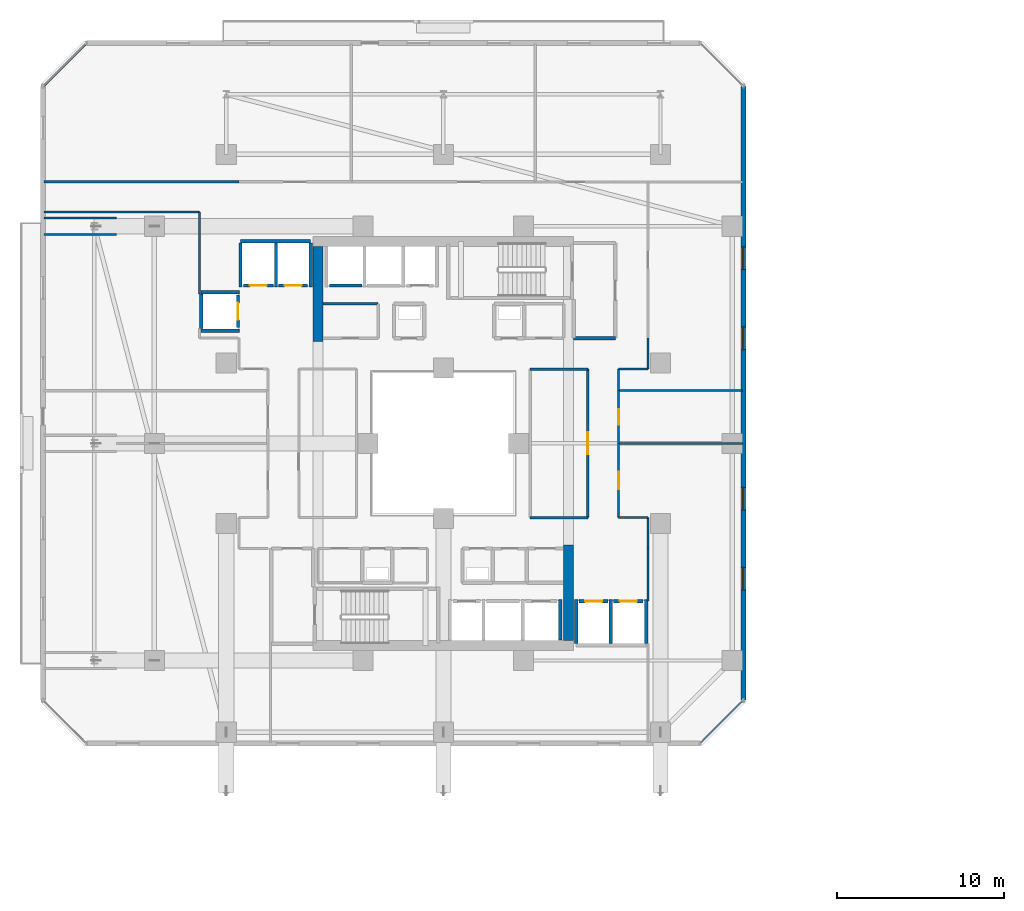
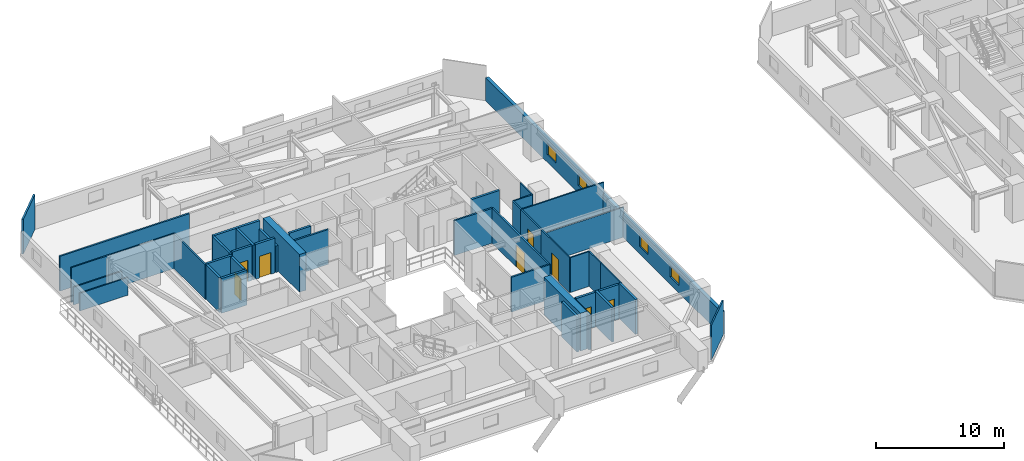
# One storey, part 23 of 36: 42 walls, 8 doors, 4 windows, 12 openings.
"""IFC4 building model written with IfcOpenShell, lengths in metres."""

from ifc_helpers import new_model, si_unit, direction, frame, frame_2d, origin, place, context, subcontext, project, spatial, rectangle, extrude, material, layer, layer_set, type_object, element, fill, save


model = new_model("IFC4")

# Units and contexts
model_context = context("Model", 3, precision=1e-05, world=origin(), true_north=direction((0.0, 1.0)))
body_context = subcontext(model_context, "Body", "Model", "MODEL_VIEW")
ifc_project = project(units=[si_unit("LENGTHUNIT", "METRE"), si_unit("AREAUNIT", "SQUARE_METRE"), si_unit("VOLUMEUNIT", "CUBIC_METRE"), si_unit("PLANEANGLEUNIT", "RADIAN"), si_unit("MASSUNIT", "GRAM", prefix="KILO")], contexts=[model_context])

# Site, building, storey
site_placement = place(None, origin())
site = spatial("IfcSite", under=ifc_project, at=site_placement, CompositionType="ELEMENT")
building_placement = place(site_placement, origin())
building = spatial("IfcBuilding", under=site, at=building_placement, Name="Thornwick Lancets Civic Towers", CompositionType="ELEMENT")
storey_placement = place(building_placement, frame((0.0, 0.0, 116.10009765625)))
storey = spatial("IfcBuildingStorey", under=building, at=storey_placement, Name="L30", CompositionType="ELEMENT", Elevation=116.10009765625)

# Wall, opening, door
ifc_material_1 = material(Name="Concrete blockwork C40/50", Category="masonry")
ifc_layer_1 = layer(ifc_material_1, 0.199951171875, Name="Concrete blockwork C40/50")
ifc_layer_set_1 = layer_set([ifc_layer_1], Name="Concrete blockwork C40/50")
wall_type_1 = type_object("IfcWallType", Name="WALL_COMP_200", PredefinedType="STANDARD", material=ifc_layer_set_1)
wall_1_placement = place(storey_placement, frame((33.6298828125, 17.550048828125, 0.0), z_axis=(0.0, 0.0, 1.0), x_axis=(1.0, 0.0, 0.0)))
wall_1 = element("IfcWall", 1, at=wall_1_placement, inside=storey, type_object=wall_type_1, Name="L30 Hoistway Front Wall PL-AL2", PredefinedType="STANDARD", context=body_context, shape_type="SweptSolid", body=[
    extrude(rectangle(XDim=1.740234375, YDim=0.199951171875, at=frame_2d((0.8701171875, 0.0))), origin(), (0.0, 0.0, 1.0), 3.31982421875),
])
opening_1_placement = place(wall_1_placement, frame((0.360107421875, 0.0, 0.0)))
opening_1 = element("IfcOpeningElement", 2, at=opening_1_placement, cuts=wall_1, Name="Opening LD-PL-AL2", PredefinedType="OPENING", context=body_context, shape_type="SweptSolid", body=[
    extrude(rectangle(XDim=1.02001953125, YDim=2.06005859375, at=frame_2d((0.510009765625, 1.030029296875))), frame((0.0, 0.10986328125, 0.0), z_axis=(0.0, -1.0, 0.0), x_axis=(1.0, 0.0, 0.0)), (0.0, 0.0, 1.0), 0.219970703125),
])
ifc_material_2 = material(Name="Brushed bronze stainless steel", Category="steel")
door_type_1 = type_object("IfcDoorType", Name="DOOR_LIFT_SLIDE", OperationType="SLIDING_TO_LEFT", PredefinedType="DOOR", material=ifc_material_2)
door_1_placement = place(opening_1_placement, origin())
door_1 = element("IfcDoor", 3, at=door_1_placement, inside=storey, type_object=door_type_1, Name="L30 Sliding Lift Landing Door LD-PL-AL2", OperationType="SLIDING_TO_LEFT", OverallHeight=2.06005859375, OverallWidth=1.02001953125, PredefinedType="DOOR", context=body_context, shape_type="SweptSolid", body=[
    extrude(rectangle(XDim=1.02001953125, YDim=2.06005859375, at=frame_2d((0.510009765625, 1.030029296875))), frame((0.0, 0.02490234375, 0.0), z_axis=(0.0, -1.0, 0.0), x_axis=(1.0, 0.0, 0.0)), (0.0, 0.0, 1.0), 0.050048828125),
])
fill(opening_1, door_1)

wall_2_placement = place(storey_placement, frame((35.679931640625, 17.550048828125, 0.0), z_axis=(0.0, 0.0, 1.0), x_axis=(1.0, 0.0, 0.0)))
wall_2 = element("IfcWall", 4, at=wall_2_placement, inside=storey, type_object=wall_type_1, Name="L30 Hoistway Front Wall PL-AL3", PredefinedType="STANDARD", context=body_context, shape_type="SweptSolid", body=[
    extrude(rectangle(XDim=1.7900390625, YDim=0.199951171875, at=frame_2d((0.89501953125, 0.0))), origin(), (0.0, 0.0, 1.0), 3.31982421875),
])
opening_2_placement = place(wall_2_placement, frame((0.385009765625, 0.0, 0.0)))
opening_2 = element("IfcOpeningElement", 5, at=opening_2_placement, cuts=wall_2, Name="Opening LD-PL-AL3", PredefinedType="OPENING", context=body_context, shape_type="SweptSolid", body=[
    extrude(rectangle(XDim=1.02001953125, YDim=2.06005859375, at=frame_2d((0.510009765625, 1.030029296875))), frame((0.0, 0.10986328125, 0.0), z_axis=(0.0, -1.0, 0.0), x_axis=(1.0, 0.0, 0.0)), (0.0, 0.0, 1.0), 0.219970703125),
])
door_2_placement = place(opening_2_placement, origin())
door_2 = element("IfcDoor", 6, at=door_2_placement, inside=storey, type_object=door_type_1, Name="L30 Sliding Lift Landing Door LD-PL-AL3", OperationType="SLIDING_TO_LEFT", OverallHeight=2.06005859375, OverallWidth=1.02001953125, PredefinedType="DOOR", context=body_context, shape_type="SweptSolid", body=[
    extrude(rectangle(XDim=1.02001953125, YDim=2.06005859375, at=frame_2d((0.510009765625, 1.030029296875))), frame((0.0, 0.02490234375, 0.0), z_axis=(0.0, -1.0, 0.0), x_axis=(1.0, 0.0, 0.0)), (0.0, 0.0, 1.0), 0.050048828125),
])
fill(opening_2, door_2)

# Wall
wall_3_placement = place(storey_placement, frame((20.6201171875, 36.449951171875, 0.0), z_axis=(0.0, 0.0, 1.0), x_axis=(-1.0, 0.0, 0.0)))
element("IfcWall", 7, at=wall_3_placement, inside=storey, type_object=wall_type_1, Name="L30 Hoistway Front Wall PL-AH3", PredefinedType="STANDARD", context=body_context, shape_type="SweptSolid", body=[
    extrude(rectangle(XDim=1.940185546875, YDim=0.199951171875, at=frame_2d((0.97021484375, 0.0))), origin(), (0.0, 0.0, 1.0), 3.31982421875),
])

# Wall, opening, door
wall_4_placement = place(storey_placement, frame((17.3701171875, 36.449951171875, 0.0), z_axis=(0.0, 0.0, 1.0), x_axis=(-1.0, 0.0, 0.0)))
wall_4 = element("IfcWall", 8, at=wall_4_placement, inside=storey, type_object=wall_type_1, Name="L30 Hoistway Front Wall PL-AM1", PredefinedType="STANDARD", context=body_context, shape_type="SweptSolid", body=[
    extrude(rectangle(XDim=1.740234375, YDim=0.199951171875, at=frame_2d((0.8701171875, 0.0))), origin(), (0.0, 0.0, 1.0), 3.31982421875),
])
opening_3_placement = place(wall_4_placement, frame((0.360107421875, 0.0, 0.0)))
opening_3 = element("IfcOpeningElement", 9, at=opening_3_placement, cuts=wall_4, Name="Opening LD-PL-AM1", PredefinedType="OPENING", context=body_context, shape_type="SweptSolid", body=[
    extrude(rectangle(XDim=1.02001953125, YDim=2.06005859375, at=frame_2d((0.510009765625, 1.030029296875))), frame((0.0, 0.10986328125, 0.0), z_axis=(0.0, -1.0, 0.0), x_axis=(1.0, 0.0, 0.0)), (0.0, 0.0, 1.0), 0.219970703125),
])
door_3_placement = place(opening_3_placement, origin())
door_3 = element("IfcDoor", 10, at=door_3_placement, inside=storey, type_object=door_type_1, Name="L30 Sliding Lift Landing Door LD-PL-AM1", OperationType="SLIDING_TO_LEFT", OverallHeight=2.06005859375, OverallWidth=1.02001953125, PredefinedType="DOOR", context=body_context, shape_type="SweptSolid", body=[
    extrude(rectangle(XDim=1.02001953125, YDim=2.06005859375, at=frame_2d((0.510009765625, 1.030029296875))), frame((0.0, 0.02490234375, 0.0), z_axis=(0.0, -1.0, 0.0), x_axis=(1.0, 0.0, 0.0)), (0.0, 0.0, 1.0), 0.050048828125),
])
fill(opening_3, door_3)

wall_5_placement = place(storey_placement, frame((15.320068359375, 36.449951171875, 0.0), z_axis=(0.0, 0.0, 1.0), x_axis=(-1.0, 0.0, 0.0)))
wall_5 = element("IfcWall", 11, at=wall_5_placement, inside=storey, type_object=wall_type_1, Name="L30 Hoistway Front Wall PL-AM2", PredefinedType="STANDARD", context=body_context, shape_type="SweptSolid", body=[
    extrude(rectangle(XDim=1.7900390625, YDim=0.199951171875, at=frame_2d((0.89501953125, 0.0))), origin(), (0.0, 0.0, 1.0), 3.31982421875),
])
opening_4_placement = place(wall_5_placement, frame((0.385009765625, 0.0, 0.0)))
opening_4 = element("IfcOpeningElement", 12, at=opening_4_placement, cuts=wall_5, Name="Opening LD-PL-AM2", PredefinedType="OPENING", context=body_context, shape_type="SweptSolid", body=[
    extrude(rectangle(XDim=1.02001953125, YDim=2.06005859375, at=frame_2d((0.510009765625, 1.030029296875))), frame((0.0, 0.10986328125, 0.0), z_axis=(0.0, -1.0, 0.0), x_axis=(1.0, 0.0, 0.0)), (0.0, 0.0, 1.0), 0.219970703125),
])
door_4_placement = place(opening_4_placement, origin())
door_4 = element("IfcDoor", 13, at=door_4_placement, inside=storey, type_object=door_type_1, Name="L30 Sliding Lift Landing Door LD-PL-AM2", OperationType="SLIDING_TO_LEFT", OverallHeight=2.06005859375, OverallWidth=1.02001953125, PredefinedType="DOOR", context=body_context, shape_type="SweptSolid", body=[
    extrude(rectangle(XDim=1.02001953125, YDim=2.06005859375, at=frame_2d((0.510009765625, 1.030029296875))), frame((0.0, 0.02490234375, 0.0), z_axis=(0.0, -1.0, 0.0), x_axis=(1.0, 0.0, 0.0)), (0.0, 0.0, 1.0), 0.050048828125),
])
fill(opening_4, door_4)

wall_6_placement = place(storey_placement, frame((13.199951171875, 33.929931640625, 0.0), z_axis=(0.0, 0.0, 1.0), x_axis=(0.0, 1.0, 0.0)))
wall_6 = element("IfcWall", 14, at=wall_6_placement, inside=storey, type_object=wall_type_1, Name="L30 Hoistway Front Wall PL-AM3", PredefinedType="STANDARD", context=body_context, shape_type="SweptSolid", body=[
    extrude(rectangle(XDim=1.940185546875, YDim=0.199951171875, at=frame_2d((0.97021484375, 0.0))), origin(), (0.0, 0.0, 1.0), 3.31982421875),
])
opening_5_placement = place(wall_6_placement, frame((0.4599609375, 0.0, 0.0)))
opening_5 = element("IfcOpeningElement", 15, at=opening_5_placement, cuts=wall_6, Name="Opening LD-PL-AM3", PredefinedType="OPENING", context=body_context, shape_type="SweptSolid", body=[
    extrude(rectangle(XDim=1.02001953125, YDim=2.06005859375, at=frame_2d((0.510009765625, 1.030029296875))), frame((0.0, 0.10986328125, 0.0), z_axis=(0.0, -1.0, 0.0), x_axis=(1.0, 0.0, 0.0)), (0.0, 0.0, 1.0), 0.219970703125),
])
door_5_placement = place(opening_5_placement, origin())
door_5 = element("IfcDoor", 16, at=door_5_placement, inside=storey, type_object=door_type_1, Name="L30 Sliding Lift Landing Door LD-PL-AM3", OperationType="SLIDING_TO_LEFT", OverallHeight=2.06005859375, OverallWidth=1.02001953125, PredefinedType="DOOR", context=body_context, shape_type="SweptSolid", body=[
    extrude(rectangle(XDim=1.02001953125, YDim=2.06005859375, at=frame_2d((0.510009765625, 1.030029296875))), frame((0.0, 0.02490234375, 0.0), z_axis=(0.0, -1.0, 0.0), x_axis=(1.0, 0.0, 0.0)), (0.0, 0.0, 1.0), 0.050048828125),
])
fill(opening_5, door_5)

# Walls
wall_7_placement = place(storey_placement, frame((32.5, 15.2119140625, 0.0), z_axis=(0.0, 0.0, 1.0), x_axis=(0.0, 1.0, 0.0)))
element("IfcWall", 17, at=wall_7_placement, inside=storey, type_object=wall_type_1, Name="L30 Hoistway Shaft Wall PL-AL1 E", PredefinedType="STANDARD", context=body_context, shape_type="SweptSolid", body=[
    extrude(rectangle(XDim=2.43603515625, YDim=0.199951171875, at=frame_2d((1.218017578125, 0.0))), origin(), (0.0, 0.0, 1.0), 3.31982421875),
])
for number, where, z_axis, x_axis, name in (
    (18, (35.52490234375, 15.011962890625, 0.0), (0.0, 0.0, 1.0), (0.0, 1.0, 0.0), "L30 Hoistway Shaft Wall PL-AL2 E"),
    (19, (33.449951171875, 15.011962890625, 0.0), (0.0, 0.0, 1.0), (0.0, 1.0, 0.0), "L30 Hoistway Shaft Wall PL-AL2 W"),
    (20, (37.64990234375, 15.011962890625, 0.0), (0.0, 0.0, 1.0), (0.0, 1.0, 0.0), "L30 Hoistway Shaft Wall PL-AL3 E"),
):
    element("IfcWall", number, at=place(storey_placement, frame(where, z_axis=z_axis, x_axis=x_axis)), inside=storey, type_object=wall_type_1, Name=name, PredefinedType="STANDARD", context=body_context, shape_type="SweptSolid", body=[
        extrude(rectangle(XDim=2.635986328125, YDim=0.199951171875, at=frame_2d((1.31787109375, 0.0))), origin(), (0.0, 0.0, 1.0), 3.31982421875),
    ])
wall_8_placement = place(storey_placement, frame((13.35205078125, 39.10009765625, 0.0), z_axis=(0.0, 0.0, 1.0), x_axis=(1.0, 0.0, 0.0)))
element("IfcWall", 21, at=wall_8_placement, inside=storey, type_object=wall_type_1, Name="L30 Hoistway Shaft Wall PL-AM1 N", PredefinedType="STANDARD", context=body_context, shape_type="SweptSolid", body=[
    extrude(rectangle(XDim=4.196044921875, YDim=0.199951171875, at=frame_2d((2.09814453125, 0.0))), origin(), (0.0, 0.0, 1.0), 3.31982421875),
])
wall_9_placement = place(storey_placement, frame((17.550048828125, 36.35205078125, 0.0), z_axis=(0.0, 0.0, 1.0), x_axis=(0.0, 1.0, 0.0)))
element("IfcWall", 22, at=wall_9_placement, inside=storey, type_object=wall_type_1, Name="L30 Hoistway Shaft Wall PL-AM1 E", PredefinedType="STANDARD", context=body_context, shape_type="SweptSolid", body=[
    extrude(rectangle(XDim=2.635986328125, YDim=0.199951171875, at=frame_2d((1.31787109375, 0.0))), origin(), (0.0, 0.0, 1.0), 2.52490234375),
])
for number, where, z_axis, x_axis, name in (
    (23, (15.47509765625, 36.35205078125, 0.0), (0.0, 0.0, 1.0), (0.0, 1.0, 0.0), "L30 Hoistway Shaft Wall PL-AM1 W"),
    (24, (13.35009765625, 36.35205078125, 0.0), (0.0, 0.0, 1.0), (0.0, 1.0, 0.0), "L30 Hoistway Shaft Wall PL-AM2 W"),
):
    element("IfcWall", number, at=place(storey_placement, frame(where, z_axis=z_axis, x_axis=x_axis)), inside=storey, type_object=wall_type_1, Name=name, PredefinedType="STANDARD", context=body_context, shape_type="SweptSolid", body=[
        extrude(rectangle(XDim=2.635986328125, YDim=0.199951171875, at=frame_2d((1.31787109375, 0.0))), origin(), (0.0, 0.0, 1.0), 3.31982421875),
    ])
for number, where, z_axis, x_axis, name in (
    (25, (11.001953125, 36.050048828125, 0.0), (0.0, 0.0, 1.0), (1.0, 0.0, 0.0), "L30 Hoistway Shaft Wall PL-AM3 N"),
    (26, (11.001953125, 33.75, 0.0), (0.0, 0.0, 1.0), (1.0, 0.0, 0.0), "L30 Hoistway Shaft Wall PL-AM3 S"),
):
    element("IfcWall", number, at=place(storey_placement, frame(where, z_axis=z_axis, x_axis=x_axis)), inside=storey, type_object=wall_type_1, Name=name, PredefinedType="STANDARD", context=body_context, shape_type="SweptSolid", body=[
        extrude(rectangle(XDim=2.296142578125, YDim=0.199951171875, at=frame_2d((1.14794921875, 0.0))), origin(), (0.0, 0.0, 1.0), 3.31982421875),
    ])
wall_10_placement = place(storey_placement, frame((11.0, 33.862060546875, 0.0), z_axis=(0.0, 0.0, 1.0), x_axis=(0.0, 1.0, 0.0)))
element("IfcWall", 27, at=wall_10_placement, inside=storey, type_object=wall_type_1, Name="L30 Hoistway Shaft Wall PL-AM3 W", PredefinedType="STANDARD", context=body_context, shape_type="SweptSolid", body=[
    extrude(rectangle(XDim=2.075927734375, YDim=0.199951171875, at=frame_2d((1.0380859375, 0.0))), origin(), (0.0, 0.0, 1.0), 3.31982421875),
])
wall_11_placement = place(storey_placement, frame((33.300048828125, 33.300048828125, 0.0), z_axis=(0.0, 0.0, 1.0), x_axis=(1.0, 0.0, 0.0)))
element("IfcWall", 28, at=wall_11_placement, inside=storey, type_object=wall_type_1, Name="L30 Partition L30-A-FFLOB2 E1", PredefinedType="STANDARD", context=body_context, shape_type="SweptSolid", body=[
    extrude(rectangle(XDim=2.5, YDim=0.199951171875, at=frame_2d((1.25, 0.0))), origin(), (0.0, 0.0, 1.0), 3.31982421875),
])
ifc_material_3 = material(Name="Concrete C60/75", Category="concrete")
ifc_layer_2 = layer(ifc_material_3, 0.60009765625, Name="Concrete C60/75")
ifc_layer_set_2 = layer_set([ifc_layer_2], Name="Concrete C60/75")
wall_type_2 = type_object("IfcWallType", Name="WALL_CORE_600", PredefinedType="SHEAR", material=ifc_layer_set_2)
for number, where, z_axis, x_axis, name in (
    (29, (33.0, 15.199951171875, 0.0), (0.0, 0.0, 1.0), (0.0, 1.0, 0.0), "L30 Split Core A1 Shear Wall E"),
    (30, (18.0, 33.10009765625, 0.0), (0.0, 0.0, 1.0), (0.0, 1.0, 0.0), "L30 Split Core A2 Shear Wall W"),
):
    element("IfcWall", number, at=place(storey_placement, frame(where, z_axis=z_axis, x_axis=x_axis)), inside=storey, type_object=wall_type_2, Name=name, PredefinedType="SHEAR", context=body_context, shape_type="SweptSolid", body=[
        extrude(rectangle(XDim=5.699951171875, YDim=0.60009765625, at=frame_2d((2.85009765625, 0.0))), origin(), (0.0, 0.0, 1.0), 3.599853515625),
    ])

# Wall, openings, windows
ifc_material_4 = material(Name="Insulated russet terracotta rainscreen on concrete C40/50", Category="masonry")
ifc_layer_3 = layer(ifc_material_4, 0.300048828125, Name="Insulated russet terracotta rainscreen on concrete C40/50")
ifc_layer_set_3 = layer_set([ifc_layer_3], Name="Insulated russet terracotta rainscreen on concrete C40/50")
wall_type_3 = type_object("IfcWallType", Name="WALL_EXT_RUSSET_300", PredefinedType="STANDARD", material=ifc_layer_set_3)
wall_12_placement = place(storey_placement, frame((43.464599609375, 11.61865234375, 0.0), z_axis=(0.0, 0.0, 1.0), x_axis=(0.0, 1.0, 0.0)))
wall_12 = element("IfcWall", 31, at=wall_12_placement, inside=storey, type_object=wall_type_3, Name="L30 Tower A Terracotta Facade Wall E2", PredefinedType="STANDARD", context=body_context, shape_type="SweptSolid", body=[
    extrude(rectangle(XDim=36.7626953125, YDim=0.300048828125, at=frame_2d((18.38134765625, 0.0))), origin(), (0.0, 0.0, 1.0), 2.219970703125),
])
opening_6_placement = place(wall_12_placement, frame((6.60009765625, 0.0, 0.719970703125)))
opening_6 = element("IfcOpeningElement", 32, at=opening_6_placement, cuts=wall_12, Name="Opening WL-03", PredefinedType="OPENING", context=body_context, shape_type="SweptSolid", body=[
    extrude(rectangle(XDim=1.35009765625, YDim=1.050048828125, at=frame_2d((0.675048828125, 0.52490234375))), frame((0.0, 0.16015625, 0.0), z_axis=(0.0, -1.0, 0.0), x_axis=(1.0, 0.0, 0.0)), (0.0, 0.0, 1.0), 0.320068359375),
])
opening_7_placement = place(wall_12_placement, frame((11.39990234375, 0.0, 0.719970703125)))
opening_7 = element("IfcOpeningElement", 33, at=opening_7_placement, cuts=wall_12, Name="Opening WL-03", PredefinedType="OPENING", context=body_context, shape_type="SweptSolid", body=[
    extrude(rectangle(XDim=1.35009765625, YDim=1.050048828125, at=frame_2d((0.675048828125, 0.52490234375))), frame((0.0, 0.16015625, 0.0), z_axis=(0.0, -1.0, 0.0), x_axis=(1.0, 0.0, 0.0)), (0.0, 0.0, 1.0), 0.320068359375),
])
opening_8_placement = place(wall_12_placement, frame((21.0, 0.0, 0.719970703125)))
opening_8 = element("IfcOpeningElement", 34, at=opening_8_placement, cuts=wall_12, Name="Opening WL-03", PredefinedType="OPENING", context=body_context, shape_type="SweptSolid", body=[
    extrude(rectangle(XDim=1.35009765625, YDim=1.050048828125, at=frame_2d((0.675048828125, 0.52490234375))), frame((0.0, 0.16015625, 0.0), z_axis=(0.0, -1.0, 0.0), x_axis=(1.0, 0.0, 0.0)), (0.0, 0.0, 1.0), 0.320068359375),
])
opening_9_placement = place(wall_12_placement, frame((25.800048828125, 0.0, 0.719970703125)))
opening_9 = element("IfcOpeningElement", 35, at=opening_9_placement, cuts=wall_12, Name="Opening WL-03", PredefinedType="OPENING", context=body_context, shape_type="SweptSolid", body=[
    extrude(rectangle(XDim=1.35009765625, YDim=1.050048828125, at=frame_2d((0.675048828125, 0.52490234375))), frame((0.0, 0.16015625, 0.0), z_axis=(0.0, -1.0, 0.0), x_axis=(1.0, 0.0, 0.0)), (0.0, 0.0, 1.0), 0.320068359375),
])
ifc_material_5 = material(Name="Clear low-e double glazing clerestory lancet", Category="glass")
window_type = type_object("IfcWindowType", Name="WIN_LANCET_1350", PartitioningType="SINGLE_PANEL", PredefinedType="WINDOW", material=ifc_material_5)
window_1_placement = place(opening_6_placement, origin())
window_1 = element("IfcWindow", 36, at=window_1_placement, inside=storey, type_object=window_type, Name="L30 Tower A Staggered Lancet Window E2-1", OverallHeight=1.050048828125, OverallWidth=1.35009765625, PartitioningType="SINGLE_PANEL", PredefinedType="WINDOW", context=body_context, shape_type="SweptSolid", body=[
    extrude(rectangle(XDim=1.35009765625, YDim=1.050048828125, at=frame_2d((0.675048828125, 0.52490234375))), frame((0.0, 0.030029296875, 0.0), z_axis=(0.0, -1.0, 0.0), x_axis=(1.0, 0.0, 0.0)), (0.0, 0.0, 1.0), 0.06005859375),
])
fill(opening_6, window_1)
window_2_placement = place(opening_7_placement, origin())
window_2 = element("IfcWindow", 37, at=window_2_placement, inside=storey, type_object=window_type, Name="L30 Tower A Staggered Lancet Window E2-2", OverallHeight=1.050048828125, OverallWidth=1.35009765625, PartitioningType="SINGLE_PANEL", PredefinedType="WINDOW", context=body_context, shape_type="SweptSolid", body=[
    extrude(rectangle(XDim=1.35009765625, YDim=1.050048828125, at=frame_2d((0.675048828125, 0.52490234375))), frame((0.0, 0.030029296875, 0.0), z_axis=(0.0, -1.0, 0.0), x_axis=(1.0, 0.0, 0.0)), (0.0, 0.0, 1.0), 0.06005859375),
])
fill(opening_7, window_2)
window_3_placement = place(opening_8_placement, origin())
window_3 = element("IfcWindow", 38, at=window_3_placement, inside=storey, type_object=window_type, Name="L30 Tower A Staggered Lancet Window E2-3", OverallHeight=1.050048828125, OverallWidth=1.35009765625, PartitioningType="SINGLE_PANEL", PredefinedType="WINDOW", context=body_context, shape_type="SweptSolid", body=[
    extrude(rectangle(XDim=1.35009765625, YDim=1.050048828125, at=frame_2d((0.675048828125, 0.52490234375))), frame((0.0, 0.030029296875, 0.0), z_axis=(0.0, -1.0, 0.0), x_axis=(1.0, 0.0, 0.0)), (0.0, 0.0, 1.0), 0.06005859375),
])
fill(opening_8, window_3)
window_4_placement = place(opening_9_placement, origin())
window_4 = element("IfcWindow", 39, at=window_4_placement, inside=storey, type_object=window_type, Name="L30 Tower A Staggered Lancet Window E2-4", OverallHeight=1.050048828125, OverallWidth=1.35009765625, PartitioningType="SINGLE_PANEL", PredefinedType="WINDOW", context=body_context, shape_type="SweptSolid", body=[
    extrude(rectangle(XDim=1.35009765625, YDim=1.050048828125, at=frame_2d((0.675048828125, 0.52490234375))), frame((0.0, 0.030029296875, 0.0), z_axis=(0.0, -1.0, 0.0), x_axis=(1.0, 0.0, 0.0)), (0.0, 0.0, 1.0), 0.06005859375),
])
fill(opening_9, window_4)

# Walls
ifc_material_6 = material(Name="Acoustic gypsum board partition")
ifc_layer_4 = layer(ifc_material_6, 0.1201171875, Name="Acoustic gypsum board partition")
ifc_layer_set_4 = layer_set([ifc_layer_4], Name="Acoustic gypsum board partition")
wall_type_4 = type_object("IfcWallType", Name="WALL_PART_120", PredefinedType="PARTITIONING", material=ifc_layer_set_4)
wall_13_placement = place(storey_placement, frame((10.89990234375, 40.85009765625, 0.0), z_axis=(0.0, 0.0, 1.0), x_axis=(0.0, -1.0, 0.0)))
element("IfcWall", 40, at=wall_13_placement, inside=storey, type_object=wall_type_4, Name="L30 Partition L30-A-W3 E1", PredefinedType="PARTITIONING", context=body_context, shape_type="SweptSolid", body=[
    extrude(rectangle(XDim=4.912109375, YDim=0.1201171875, at=frame_2d((2.4560546875, 0.0))), origin(), (0.0, 0.0, 1.0), 3.31982421875),
])
for number, where, z_axis, x_axis, name in (
    (41, (1.580078125, 39.52001953125, 0.0), (0.0, 0.0, 1.0), (1.0, 0.0, 0.0), "L30 Partition L30-A-W3 E9"),
    (42, (5.914306640625, 40.47998046875, 0.0), (0.0, 0.0, 1.0), (-1.0, 0.0, 0.0), "L30 Partition L30-A-W3 E11"),
):
    element("IfcWall", number, at=place(storey_placement, frame(where, z_axis=z_axis, x_axis=x_axis)), inside=storey, type_object=wall_type_4, Name=name, PredefinedType="PARTITIONING", context=body_context, shape_type="SweptSolid", body=[
        extrude(rectangle(XDim=4.334228515625, YDim=0.1201171875, at=frame_2d((2.1669921875, 0.0))), origin(), (0.0, 0.0, 1.0), 1.684814453125),
    ])
wall_14_placement = place(storey_placement, frame((1.580078125, 40.85009765625, 0.0), z_axis=(0.0, 0.0, 1.0), x_axis=(1.0, 0.0, 0.0)))
element("IfcWall", 43, at=wall_14_placement, inside=storey, type_object=wall_type_4, Name="L30 Partition L30-A-W3 E13", PredefinedType="PARTITIONING", context=body_context, shape_type="SweptSolid", body=[
    extrude(rectangle(XDim=9.31982421875, YDim=0.1201171875, at=frame_2d((4.659912109375, 0.0))), origin(), (0.0, 0.0, 1.0), 3.31982421875),
])
wall_15_placement = place(storey_placement, frame((37.75, 17.550048828125, 0.0), z_axis=(0.0, 0.0, 1.0), x_axis=(0.0, 1.0, 0.0)))
element("IfcWall", 44, at=wall_15_placement, inside=storey, type_object=wall_type_4, Name="L30 Partition L30-A-E1 E1", PredefinedType="PARTITIONING", context=body_context, shape_type="SweptSolid", body=[
    extrude(rectangle(XDim=3.14990234375, YDim=0.1201171875, at=frame_2d((1.574951171875, 0.0))), origin(), (0.0, 0.0, 1.0), 3.31982421875),
])
wall_16_placement = place(storey_placement, frame((37.75, 20.699951171875, 0.0), z_axis=(0.0, 0.0, 1.0), x_axis=(0.0, 1.0, 0.0)))
element("IfcWall", 45, at=wall_16_placement, inside=storey, type_object=wall_type_4, Name="L30 Partition L30-A-E1 E2", PredefinedType="PARTITIONING", context=body_context, shape_type="SweptSolid", body=[
    extrude(rectangle(XDim=1.85009765625, YDim=0.1201171875, at=frame_2d((0.925048828125, 0.0))), origin(), (0.0, 0.0, 1.0), 3.31982421875),
])
wall_17_placement = place(storey_placement, frame((37.75, 22.550048828125, 0.0), z_axis=(0.0, 0.0, 1.0), x_axis=(-1.0, 0.0, 0.0)))
element("IfcWall", 46, at=wall_17_placement, inside=storey, type_object=wall_type_4, Name="L30 Partition L30-A-E1 E3", PredefinedType="PARTITIONING", context=body_context, shape_type="SweptSolid", body=[
    extrude(rectangle(XDim=1.75, YDim=0.1201171875, at=frame_2d((0.875, 0.0))), origin(), (0.0, 0.0, 1.0), 3.31982421875),
])

# Wall, opening, door
wall_18_placement = place(storey_placement, frame((36.0, 22.550048828125, 0.0), z_axis=(0.0, 0.0, 1.0), x_axis=(0.0, 1.0, 0.0)))
wall_18 = element("IfcWall", 47, at=wall_18_placement, inside=storey, type_object=wall_type_4, Name="L30 Partition L30-A-E1 E4", PredefinedType="PARTITIONING", context=body_context, shape_type="SweptSolid", body=[
    extrude(rectangle(XDim=4.449951171875, YDim=0.1201171875, at=frame_2d((2.22509765625, 0.0))), origin(), (0.0, 0.0, 1.0), 3.31982421875),
])
opening_10_placement = place(wall_18_placement, frame((1.699951171875, 0.0, 0.0)))
opening_10 = element("IfcOpeningElement", 48, at=opening_10_placement, cuts=wall_18, Name="Opening D-L30-1396", PredefinedType="OPENING", context=body_context, shape_type="SweptSolid", body=[
    extrude(rectangle(XDim=1.050048828125, YDim=2.10009765625, at=frame_2d((0.52490234375, 1.050048828125))), frame((0.0, 0.070068359375, 0.0), z_axis=(0.0, -1.0, 0.0), x_axis=(1.0, 0.0, 0.0)), (0.0, 0.0, 1.0), 0.14013671875),
])
ifc_material_7 = material(Name="Glazed European oak executive doorset")
door_type_2 = type_object("IfcDoorType", Name="DOOR_OFFICE_1050", OperationType="NOTDEFINED", PredefinedType="DOOR", material=ifc_material_7)
door_6_placement = place(opening_10_placement, origin())
door_6 = element("IfcDoor", 49, at=door_6_placement, inside=storey, type_object=door_type_2, Name="L30 Tower A Secretariat Open Office E1 Door", OperationType="SINGLE_SWING_LEFT", OverallHeight=2.10009765625, OverallWidth=1.050048828125, PredefinedType="DOOR", context=body_context, shape_type="SweptSolid", body=[
    extrude(rectangle(XDim=1.050048828125, YDim=2.10009765625, at=frame_2d((0.52490234375, 1.050048828125))), frame((0.0, 0.02490234375, 0.0), z_axis=(0.0, -1.0, 0.0), x_axis=(1.0, 0.0, 0.0)), (0.0, 0.0, 1.0), 0.050048828125),
])
fill(opening_10, door_6)

# Walls
wall_19_placement = place(storey_placement, frame((36.0, 27.0, 0.0), z_axis=(0.0, 0.0, 1.0), x_axis=(1.0, 0.0, 0.0)))
element("IfcWall", 50, at=wall_19_placement, inside=storey, type_object=wall_type_4, Name="L30 Partition L30-A-E1 E5", PredefinedType="PARTITIONING", context=body_context, shape_type="SweptSolid", body=[
    extrude(rectangle(XDim=7.419921875, YDim=0.1201171875, at=frame_2d((3.7099609375, 0.0))), origin(), (0.0, 0.0, 1.0), 2.861572265625),
])
wall_20_placement = place(storey_placement, frame((43.419921875, 11.57470703125, 0.0), z_axis=(0.0, 0.0, 1.0), x_axis=(-0.707106781187, -0.707106781187, 0.0)))
element("IfcWall", 51, at=wall_20_placement, inside=storey, type_object=wall_type_4, Name="L30 Partition L30-A-E1 E7", PredefinedType="PARTITIONING", context=body_context, shape_type="SweptSolid", body=[
    extrude(rectangle(XDim=3.52783203125, YDim=0.1201171875, at=frame_2d((1.763916015625, 0.0))), origin(), (0.0, 0.0, 1.0), 3.31982421875),
])

# Wall, opening, door
wall_21_placement = place(storey_placement, frame((36.0, 27.0, 0.0), z_axis=(0.0, 0.0, 1.0), x_axis=(0.0, 1.0, 0.0)))
wall_21 = element("IfcWall", 52, at=wall_21_placement, inside=storey, type_object=wall_type_4, Name="L30 Partition L30-A-E2 E1", PredefinedType="PARTITIONING", context=body_context, shape_type="SweptSolid", body=[
    extrude(rectangle(XDim=3.14990234375, YDim=0.1201171875, at=frame_2d((1.574951171875, 0.0))), origin(), (0.0, 0.0, 1.0), 3.31982421875),
])
opening_11_placement = place(wall_21_placement, frame((1.10009765625, 0.0, 0.0)))
opening_11 = element("IfcOpeningElement", 53, at=opening_11_placement, cuts=wall_21, Name="Opening D-L30-1397", PredefinedType="OPENING", context=body_context, shape_type="SweptSolid", body=[
    extrude(rectangle(XDim=0.949951171875, YDim=2.10009765625, at=frame_2d((0.47509765625, 1.050048828125))), frame((0.0, 0.070068359375, 0.0), z_axis=(0.0, -1.0, 0.0), x_axis=(1.0, 0.0, 0.0)), (0.0, 0.0, 1.0), 0.14013671875),
])
ifc_material_8 = material(Name="European oak acoustic doorset")
door_type_3 = type_object("IfcDoorType", Name="DOOR_OFFICE_950", OperationType="NOTDEFINED", PredefinedType="DOOR", material=ifc_material_8)
door_7_placement = place(opening_11_placement, origin())
door_7 = element("IfcDoor", 54, at=door_7_placement, inside=storey, type_object=door_type_3, Name="L30 Tower A Visitors Reception and Waiting Door", OperationType="SINGLE_SWING_RIGHT", OverallHeight=2.10009765625, OverallWidth=0.949951171875, PredefinedType="DOOR", context=body_context, shape_type="SweptSolid", body=[
    extrude(rectangle(XDim=0.949951171875, YDim=2.10009765625, at=frame_2d((0.47509765625, 1.050048828125))), frame((0.0, 0.02490234375, 0.0), z_axis=(0.0, -1.0, 0.0), x_axis=(1.0, 0.0, 0.0)), (0.0, 0.0, 1.0), 0.050048828125),
])
fill(opening_11, door_7)

# Walls
wall_22_placement = place(storey_placement, frame((36.0, 30.14990234375, 0.0), z_axis=(0.0, 0.0, 1.0), x_axis=(1.0, 0.0, 0.0)))
element("IfcWall", 55, at=wall_22_placement, inside=storey, type_object=wall_type_4, Name="L30 Partition L30-A-E2 E2", PredefinedType="PARTITIONING", context=body_context, shape_type="SweptSolid", body=[
    extrude(rectangle(XDim=7.419921875, YDim=0.1201171875, at=frame_2d((3.7099609375, 0.0))), origin(), (0.0, 0.0, 1.0), 3.31982421875),
])
wall_23_placement = place(storey_placement, frame((36.0, 31.449951171875, 0.0), z_axis=(0.0, 0.0, 1.0), x_axis=(1.0, 0.0, 0.0)))
element("IfcWall", 56, at=wall_23_placement, inside=storey, type_object=wall_type_4, Name="L30 Partition L30-A-E3 E1", PredefinedType="PARTITIONING", context=body_context, shape_type="SweptSolid", body=[
    extrude(rectangle(XDim=1.75, YDim=0.1201171875, at=frame_2d((0.875, 0.0))), origin(), (0.0, 0.0, 1.0), 3.31982421875),
])
wall_24_placement = place(storey_placement, frame((37.75, 31.449951171875, 0.0), z_axis=(0.0, 0.0, 1.0), x_axis=(0.0, 1.0, 0.0)))
element("IfcWall", 57, at=wall_24_placement, inside=storey, type_object=wall_type_4, Name="L30 Partition L30-A-E3 E2", PredefinedType="PARTITIONING", context=body_context, shape_type="SweptSolid", body=[
    extrude(rectangle(XDim=1.85009765625, YDim=0.1201171875, at=frame_2d((0.925048828125, 0.0))), origin(), (0.0, 0.0, 1.0), 3.31982421875),
])
wall_25_placement = place(storey_placement, frame((36.0, 30.14990234375, 0.0), z_axis=(0.0, 0.0, 1.0), x_axis=(0.0, 1.0, 0.0)))
element("IfcWall", 58, at=wall_25_placement, inside=storey, type_object=wall_type_4, Name="L30 Partition L30-A-E3 E7", PredefinedType="PARTITIONING", context=body_context, shape_type="SweptSolid", body=[
    extrude(rectangle(XDim=1.300048828125, YDim=0.1201171875, at=frame_2d((0.64990234375, 0.0))), origin(), (0.0, 0.0, 1.0), 3.31982421875),
])
ifc_material_9 = material(Name="Twin-stud acoustic gypsum board")
ifc_layer_5 = layer(ifc_material_9, 0.14990234375, Name="Twin-stud acoustic gypsum board")
ifc_layer_set_5 = layer_set([ifc_layer_5], Name="Twin-stud acoustic gypsum board")
wall_type_5 = type_object("IfcWallType", Name="WALL_PART_150", PredefinedType="PARTITIONING", material=ifc_layer_set_5)
wall_26_placement = place(storey_placement, frame((21.60009765625, 35.35009765625, 0.0), z_axis=(0.0, 0.0, 1.0), x_axis=(-1.0, 0.0, 0.0)))
element("IfcWall", 59, at=wall_26_placement, inside=storey, type_object=wall_type_5, Name="L30 Partition L30-A-MWC E3", PredefinedType="PARTITIONING", context=body_context, shape_type="SweptSolid", body=[
    extrude(rectangle(XDim=3.300048828125, YDim=0.14990234375, at=frame_2d((1.64990234375, 0.0))), origin(), (0.0, 0.0, 1.0), 3.31982421875),
])
wall_27_placement = place(storey_placement, frame((30.699951171875, 31.449951171875, 0.0), z_axis=(0.0, 0.0, 1.0), x_axis=(1.0, 0.0, 0.0)))
element("IfcWall", 60, at=wall_27_placement, inside=storey, type_object=wall_type_5, Name="L30 Partition L30-A-ATR-E E2", PredefinedType="PARTITIONING", context=body_context, shape_type="SweptSolid", body=[
    extrude(rectangle(XDim=3.449951171875, YDim=0.14990234375, at=frame_2d((1.72509765625, 0.0))), origin(), (0.0, 0.0, 1.0), 3.31982421875),
])

# Wall, opening, door
wall_28_placement = place(storey_placement, frame((34.14990234375, 31.449951171875, 0.0), z_axis=(0.0, 0.0, 1.0), x_axis=(0.0, -1.0, 0.0)))
wall_28 = element("IfcWall", 61, at=wall_28_placement, inside=storey, type_object=wall_type_5, Name="L30 Partition L30-A-ATR-E E3", PredefinedType="PARTITIONING", context=body_context, shape_type="SweptSolid", body=[
    extrude(rectangle(XDim=8.89990234375, YDim=0.14990234375, at=frame_2d((4.449951171875, 0.0))), origin(), (0.0, 0.0, 1.0), 3.31982421875),
])
opening_12_placement = place(wall_28_placement, frame((3.800048828125, 0.0, 0.0)))
opening_12 = element("IfcOpeningElement", 62, at=opening_12_placement, cuts=wall_28, Name="Opening D-L30-1399", PredefinedType="OPENING", context=body_context, shape_type="SweptSolid", body=[
    extrude(rectangle(XDim=1.300048828125, YDim=2.1201171875, at=frame_2d((0.64990234375, 1.06005859375))), frame((0.0, 0.0849609375, 0.0), z_axis=(0.0, -1.0, 0.0), x_axis=(1.0, 0.0, 0.0)), (0.0, 0.0, 1.0), 0.169921875),
])
ifc_material_10 = material(Name="Acoustic oak leaf-and-a-half doorset")
door_type_4 = type_object("IfcDoorType", Name="DOOR_MEET_1300", OperationType="DOUBLE_DOOR_SINGLE_SWING", PredefinedType="DOOR", material=ifc_material_10)
door_8_placement = place(opening_12_placement, origin())
door_8 = element("IfcDoor", 63, at=door_8_placement, inside=storey, type_object=door_type_4, Name="L30 Tower A East Atrium Briefing Suite Door", OperationType="DOUBLE_DOOR_SINGLE_SWING", OverallHeight=2.1201171875, OverallWidth=1.300048828125, PredefinedType="DOOR", context=body_context, shape_type="SweptSolid", body=[
    extrude(rectangle(XDim=1.300048828125, YDim=2.1201171875, at=frame_2d((0.64990234375, 1.06005859375))), frame((0.0, 0.02490234375, 0.0), z_axis=(0.0, -1.0, 0.0), x_axis=(1.0, 0.0, 0.0)), (0.0, 0.0, 1.0), 0.050048828125),
])
fill(opening_12, door_8)

# Walls
wall_29_placement = place(storey_placement, frame((34.14990234375, 22.550048828125, 0.0), z_axis=(0.0, 0.0, 1.0), x_axis=(-1.0, 0.0, 0.0)))
element("IfcWall", 64, at=wall_29_placement, inside=storey, type_object=wall_type_5, Name="L30 Partition L30-A-ATR-E E4", PredefinedType="PARTITIONING", context=body_context, shape_type="SweptSolid", body=[
    extrude(rectangle(XDim=3.449951171875, YDim=0.14990234375, at=frame_2d((1.72509765625, 0.0))), origin(), (0.0, 0.0, 1.0), 3.31982421875),
])
wall_30_placement = place(storey_placement, frame((13.25, 42.64990234375, 0.0), z_axis=(0.0, 0.0, 1.0), x_axis=(-1.0, 0.0, 0.0)))
element("IfcWall", 65, at=wall_30_placement, inside=storey, type_object=wall_type_5, Name="L30 Partition L30-A-N-CONF E1", PredefinedType="PARTITIONING", context=body_context, shape_type="SweptSolid", body=[
    extrude(rectangle(XDim=11.669921875, YDim=0.14990234375, at=frame_2d((5.8349609375, 0.0))), origin(), (0.0, 0.0, 1.0), 3.31982421875),
])
wall_31_placement = place(storey_placement, frame((1.580078125, 48.42529296875, 0.0), z_axis=(0.0, 0.0, 1.0), x_axis=(0.707106781187, 0.707106781187, 0.0)))
element("IfcWall", 66, at=wall_31_placement, inside=storey, type_object=wall_type_5, Name="L30 Partition L30-A-N-CONF E3", PredefinedType="PARTITIONING", context=body_context, shape_type="SweptSolid", body=[
    extrude(rectangle(XDim=3.52783203125, YDim=0.14990234375, at=frame_2d((1.763916015625, 0.0))), origin(), (0.0, 0.0, 1.0), 3.31982421875),
])

save(model, "model.ifc")
